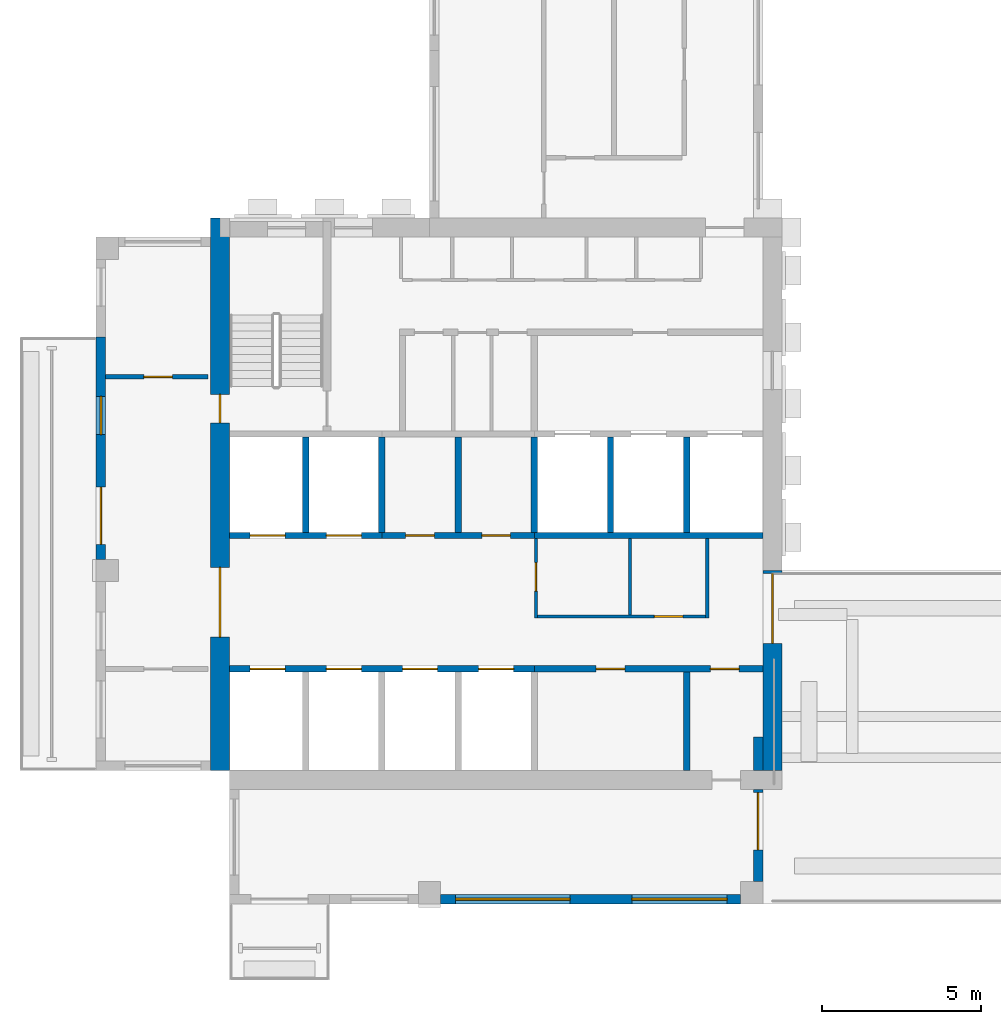
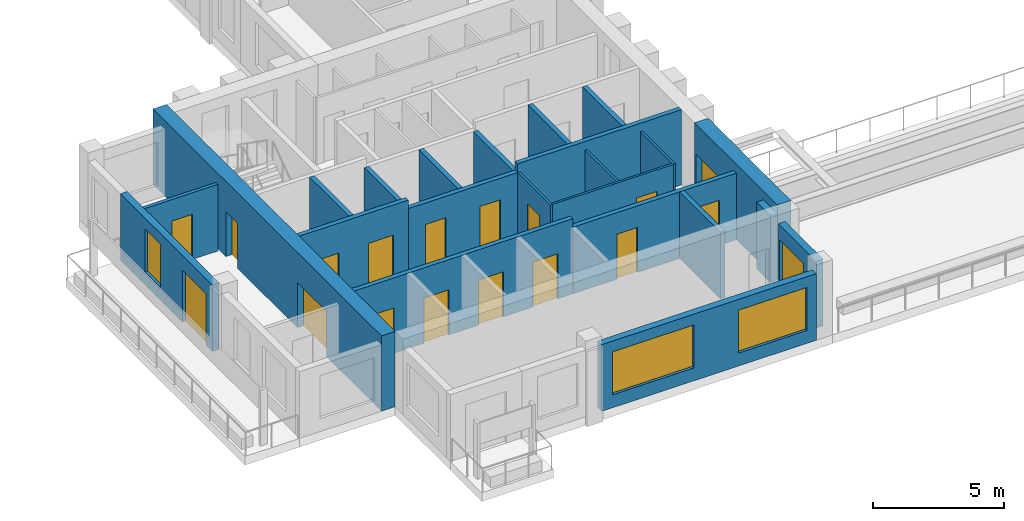
# One storey, part 2 of 10: 23 walls, 18 doors, 3 windows, 21 openings.
"""IFC4 building model written with IfcOpenShell, lengths in metres."""

from ifc_helpers import new_model, si_unit, direction, frame, frame_2d, origin, place, context, subcontext, project, spatial, rectangle, extrude, source, transform, mapped, material, layer, layer_set, type_object, element, fill, save


model = new_model("IFC4")

# Units and contexts
model_context = context("Model", 3, precision=1e-05, world=origin(), true_north=direction((0.0, 1.0)))
body_context = subcontext(model_context, "Body", "Model", "MODEL_VIEW")
ifc_project = project(units=[si_unit("LENGTHUNIT", "METRE"), si_unit("AREAUNIT", "SQUARE_METRE"), si_unit("VOLUMEUNIT", "CUBIC_METRE"), si_unit("PLANEANGLEUNIT", "RADIAN"), si_unit("MASSUNIT", "GRAM", prefix="KILO")], contexts=[model_context])

# Site, building, storey
site_placement = place(None, origin())
site = spatial("IfcSite", under=ifc_project, at=site_placement, CompositionType="ELEMENT")
building_placement = place(site_placement, origin())
building = spatial("IfcBuilding", under=site, at=building_placement, Name="Aurelian Terraces", CompositionType="ELEMENT")
storey_placement = place(building_placement, frame((0.0, 0.0, 291.5)))
storey = spatial("IfcBuildingStorey", under=building, at=storey_placement, Name="L66", CompositionType="ELEMENT", Elevation=291.5)

# Wall, opening, door
ifc_material_1 = material(Name="Gypsum board on steel studs", Category="steel")
ifc_layer_1 = layer(ifc_material_1, 0.1)
ifc_layer_set_1 = layer_set([ifc_layer_1], Name="Core partition 100")
wall_type_1 = type_object("IfcWallType", Name="Core partition 100", PredefinedType="PARTITIONING", material=ifc_layer_set_1)
wall_1_placement = place(storey_placement, frame((13.8, 9.05, 0.0), z_axis=(0.0, 0.0, 1.0), x_axis=(1.0, 0.0, 0.0)))
wall_1 = element("IfcWall", 1, at=wall_1_placement, inside=storey, type_object=wall_type_1, Name="L66 core wall SV-ES", PredefinedType="PARTITIONING", context=body_context, shape_type="SweptSolid", body=[
    extrude(rectangle(XDim=5.4, YDim=0.1, at=frame_2d((2.7, 0.0))), origin(), (0.0, 0.0, 1.0), 3.1),
])
shared_shape_1 = source(origin(), body_context, "Body", "SweptSolid", [
    extrude(rectangle(XDim=0.9, YDim=2.1, at=frame_2d((0.45, 1.05))), frame((0.0, 0.06, 0.0), z_axis=(0.0, -1.0, 0.0), x_axis=(1.0, 0.0, 0.0)), (0.0, 0.0, 1.0), 0.12),
])
opening_1_placement = place(wall_1_placement, frame((3.7825, 0.0, 0.0)))
opening_1 = element("IfcOpeningElement", 2, at=opening_1_placement, cuts=wall_1, Name="Opening 66923", PredefinedType="OPENING", context=body_context, shape_type="MappedRepresentation", body=[
    mapped(shared_shape_1, transform((0.0, 0.0, 0.0), scale=1.0)),
])
ifc_material_2 = material(Name="Steel door leaf", Category="steel")
door_type_1 = type_object("IfcDoorType", Name="Core service door 900x2100", OperationType="SINGLE_SWING_LEFT", PredefinedType="DOOR", material=ifc_material_2)
shared_shape_2 = source(origin(), body_context, "Body", "SweptSolid", [
    extrude(rectangle(XDim=0.9, YDim=2.1, at=frame_2d((0.45, 1.05))), frame((0.0, 0.025, 0.0), z_axis=(0.0, -1.0, 0.0), x_axis=(1.0, 0.0, 0.0)), (0.0, 0.0, 1.0), 0.05),
])
door_1_placement = place(opening_1_placement, origin())
door_1 = element("IfcDoor", 3, at=door_1_placement, inside=storey, type_object=door_type_1, Name="Room door 66923", OperationType="SINGLE_SWING_LEFT", OverallHeight=2.1, OverallWidth=0.9, PredefinedType="DOOR", context=body_context, shape_type="MappedRepresentation", body=[
    mapped(shared_shape_2, transform((0.0, 0.0, 0.0), scale=1.0)),
])
fill(opening_1, door_1)

wall_2_placement = place(storey_placement, frame((13.85, 9.0, 0.0), z_axis=(0.0, 0.0, 1.0), x_axis=(0.0, 1.0, 0.0)))
wall_2 = element("IfcWall", 4, at=wall_2_placement, inside=storey, type_object=wall_type_1, Name="L66 core wall SV-EW", PredefinedType="PARTITIONING", context=body_context, shape_type="SweptSolid", body=[
    extrude(rectangle(XDim=2.5, YDim=0.1, at=frame_2d((1.25, 0.0))), origin(), (0.0, 0.0, 1.0), 3.1),
])
opening_2_placement = place(wall_2_placement, frame((0.85, 0.0, 0.0)))
opening_2 = element("IfcOpeningElement", 5, at=opening_2_placement, cuts=wall_2, Name="Opening 66924", PredefinedType="OPENING", context=body_context, shape_type="MappedRepresentation", body=[
    mapped(shared_shape_1, transform((0.0, 0.0, 0.0), scale=1.0)),
])
door_type_2 = type_object("IfcDoorType", Name="Core service door 900x2100 right", OperationType="SINGLE_SWING_RIGHT", PredefinedType="DOOR", material=ifc_material_2)
door_2_placement = place(opening_2_placement, origin())
door_2 = element("IfcDoor", 6, at=door_2_placement, inside=storey, type_object=door_type_2, Name="Room door 66924", OperationType="SINGLE_SWING_RIGHT", OverallHeight=2.1, OverallWidth=0.9, PredefinedType="DOOR", context=body_context, shape_type="MappedRepresentation", body=[
    mapped(shared_shape_2, transform((0.0, 0.0, 0.0), scale=1.0)),
])
fill(opening_2, door_2)

# Walls
wall_3_placement = place(storey_placement, frame((16.815, 9.1, 0.0), z_axis=(0.0, 0.0, 1.0), x_axis=(0.0, 1.0, 0.0)))
element("IfcWall", 7, at=wall_3_placement, inside=storey, type_object=wall_type_1, Name="L66 core wall SV-EP", PredefinedType="PARTITIONING", context=body_context, shape_type="SweptSolid", body=[
    extrude(rectangle(XDim=2.4, YDim=0.1, at=frame_2d((1.2, 0.0))), origin(), (0.0, 0.0, 1.0), 3.1),
])
ifc_material_3 = material(Name="Terracotta rainscreen cladding", Category="masonry")
ifc_layer_2 = layer(ifc_material_3, 0.3)
ifc_layer_set_2 = layer_set([ifc_layer_2], Name="EW-300")
wall_type_2 = type_object("IfcWallType", Name="EW-300", PredefinedType="STANDARD", material=ifc_layer_set_2)
wall_4_placement = place(storey_placement, frame((20.85, 4.2, 0.0), z_axis=(0.0, 0.0, 1.0), x_axis=(0.0, 1.0, 0.0)))
element("IfcWall", 8, at=wall_4_placement, inside=storey, type_object=wall_type_2, Name="External wall L66 F02.4", PredefinedType="STANDARD", context=body_context, shape_type="SweptSolid", body=[
    extrude(rectangle(XDim=1.05, YDim=0.3, at=frame_2d((0.525, 0.0))), origin(), (0.0, 0.0, 1.0), 3.1),
])

# Wall, openings, door, window
wall_5_placement = place(storey_placement, frame((0.15, 17.85, 0.0), z_axis=(0.0, 0.0, 1.0), x_axis=(0.0, -1.0, 0.0)))
wall_5 = element("IfcWall", 9, at=wall_5_placement, inside=storey, type_object=wall_type_2, Name="External wall L66 F10.20", PredefinedType="STANDARD", context=body_context, shape_type="SweptSolid", body=[
    extrude(rectangle(XDim=7.0, YDim=0.3, at=frame_2d((3.5, 0.0))), origin(), (0.0, 0.0, 1.0), 3.1),
])
shared_shape_3 = source(origin(), body_context, "Body", "SweptSolid", [
    extrude(rectangle(XDim=1.8, YDim=2.4, at=frame_2d((0.9, 1.2))), frame((0.0, 0.16, 0.0), z_axis=(0.0, -1.0, 0.0), x_axis=(1.0, 0.0, 0.0)), (0.0, 0.0, 1.0), 0.32),
])
opening_3_placement = place(wall_5_placement, frame((4.725, 0.0, 0.0)))
opening_3 = element("IfcOpeningElement", 10, at=opening_3_placement, cuts=wall_5, Name="Opening 86603", PredefinedType="OPENING", context=body_context, shape_type="MappedRepresentation", body=[
    mapped(shared_shape_3, transform((0.0, 0.0, 0.0), scale=1.0)),
])
shared_shape_4 = source(origin(), body_context, "Body", "SweptSolid", [
    extrude(rectangle(XDim=1.2, YDim=2.0, at=frame_2d((0.6, 1.0))), frame((0.0, 0.16, 0.0), z_axis=(0.0, -1.0, 0.0), x_axis=(1.0, 0.0, 0.0)), (0.0, 0.0, 1.0), 0.32),
])
opening_4_placement = place(wall_5_placement, frame((1.8688, 0.0, 0.6)))
opening_4 = element("IfcOpeningElement", 11, at=opening_4_placement, cuts=wall_5, Name="Opening W1220", PredefinedType="OPENING", context=body_context, shape_type="MappedRepresentation", body=[
    mapped(shared_shape_4, transform((0.0, 0.0, 0.0), scale=1.0)),
])
ifc_material_4 = material(Name="Clear glazing", Category="glass")
door_type_3 = type_object("IfcDoorType", Name="BD-1800x2400", OperationType="SLIDING_TO_LEFT", PredefinedType="DOOR", material=ifc_material_4)
shared_shape_5 = source(origin(), body_context, "Body", "SweptSolid", [
    extrude(rectangle(XDim=1.8, YDim=2.4, at=frame_2d((0.9, 1.2))), frame((0.0, 0.025, 0.0), z_axis=(0.0, -1.0, 0.0), x_axis=(1.0, 0.0, 0.0)), (0.0, 0.0, 1.0), 0.05),
])
door_3_placement = place(opening_3_placement, origin())
door_3 = element("IfcDoor", 12, at=door_3_placement, inside=storey, type_object=door_type_3, Name="Balcony door L66 F10.20", OperationType="SLIDING_TO_LEFT", OverallHeight=2.4, OverallWidth=1.8, PredefinedType="DOOR", context=body_context, shape_type="MappedRepresentation", body=[
    mapped(shared_shape_5, transform((0.0, 0.0, 0.0), scale=1.0)),
])
fill(opening_3, door_3)
window_type_1 = type_object("IfcWindowType", Name="W-1200x2000", PartitioningType="SINGLE_PANEL", PredefinedType="WINDOW", material=ifc_material_4)
shared_shape_6 = source(origin(), body_context, "Body", "SweptSolid", [
    extrude(rectangle(XDim=1.2, YDim=2.0, at=frame_2d((0.6, 1.0))), frame((0.0, 0.03, 0.0), z_axis=(0.0, -1.0, 0.0), x_axis=(1.0, 0.0, 0.0)), (0.0, 0.0, 1.0), 0.06),
])
window_1_placement = place(opening_4_placement, origin())
window_1 = element("IfcWindow", 13, at=window_1_placement, inside=storey, type_object=window_type_1, Name="Window L66 L66-F10-20-G0-0", OverallHeight=2.0, OverallWidth=1.2, PartitioningType="SINGLE_PANEL", PredefinedType="WINDOW", context=body_context, shape_type="MappedRepresentation", body=[
    mapped(shared_shape_6, transform((0.0, 0.0, 0.0), scale=1.0)),
])
fill(opening_4, window_1)

# Wall, openings, doors
ifc_material_5 = material(Name="Concrete fc' 55 MPa", Category="concrete")
ifc_layer_3 = layer(ifc_material_5, 0.6)
ifc_layer_set_3 = layer_set([ifc_layer_3], Name="CORE WALL 600 FC55")
wall_type_3 = type_object("IfcWallType", Name="CORE WALL 600 FC55", PredefinedType="SHEAR", material=ifc_layer_set_3)
shared_shape_7 = source(origin(), body_context, "Body", "SweptSolid", [
    extrude(rectangle(XDim=17.4, YDim=0.6, at=frame_2d((8.7, 0.0))), origin(), (0.0, 0.0, 1.0), 3.5),
])
wall_6_placement = place(storey_placement, frame((3.9, 4.2, 0.0), z_axis=(0.0, 0.0, 1.0), x_axis=(0.0, 1.0, 0.0)))
wall_6 = element("IfcWall", 14, at=wall_6_placement, inside=storey, type_object=wall_type_3, Name="Core wall W L66", PredefinedType="SHEAR", context=body_context, shape_type="MappedRepresentation", body=[
    mapped(shared_shape_7, transform((0.0, 0.0, 0.0), scale=1.0)),
])
shared_shape_8 = source(origin(), body_context, "Body", "SweptSolid", [
    extrude(rectangle(XDim=2.2, YDim=2.1, at=frame_2d((1.1, 1.05))), frame((0.0, 0.31, 0.0), z_axis=(0.0, -1.0, 0.0), x_axis=(1.0, 0.0, 0.0)), (0.0, 0.0, 1.0), 0.62),
])
opening_5_placement = place(wall_6_placement, frame((4.2, 0.0, 0.0)))
opening_5 = element("IfcOpeningElement", 15, at=opening_5_placement, cuts=wall_6, Name="Opening 66932", PredefinedType="OPENING", context=body_context, shape_type="MappedRepresentation", body=[
    mapped(shared_shape_8, transform((0.0, 0.0, 0.0), scale=1.0)),
])
shared_shape_9 = source(origin(), body_context, "Body", "SweptSolid", [
    extrude(rectangle(XDim=0.9, YDim=2.1, at=frame_2d((0.45, 1.05))), frame((0.0, 0.31, 0.0), z_axis=(0.0, -1.0, 0.0), x_axis=(1.0, 0.0, 0.0)), (0.0, 0.0, 1.0), 0.62),
])
opening_6_placement = place(wall_6_placement, frame((10.95, 0.0, 0.0)))
opening_6 = element("IfcOpeningElement", 16, at=opening_6_placement, cuts=wall_6, Name="Opening 66935", PredefinedType="OPENING", context=body_context, shape_type="MappedRepresentation", body=[
    mapped(shared_shape_9, transform((0.0, 0.0, 0.0), scale=1.0)),
])
door_4_placement = place(opening_6_placement, origin())
door_4 = element("IfcDoor", 17, at=door_4_placement, inside=storey, type_object=door_type_2, Name="Core door 66935", OperationType="SINGLE_SWING_RIGHT", OverallHeight=2.1, OverallWidth=0.9, PredefinedType="DOOR", context=body_context, shape_type="MappedRepresentation", body=[
    mapped(shared_shape_2, transform((0.0, 0.0, 0.0), scale=1.0)),
])
fill(opening_6, door_4)
door_type_4 = type_object("IfcDoorType", Name="Core double door 2200x2100", OperationType="DOUBLE_DOOR_SINGLE_SWING", PredefinedType="DOOR", material=ifc_material_2)
shared_shape_10 = source(origin(), body_context, "Body", "SweptSolid", [
    extrude(rectangle(XDim=2.2, YDim=2.1, at=frame_2d((1.1, 1.05))), frame((0.0, 0.025, 0.0), z_axis=(0.0, -1.0, 0.0), x_axis=(1.0, 0.0, 0.0)), (0.0, 0.0, 1.0), 0.05),
])
door_5_placement = place(opening_5_placement, origin())
door_5 = element("IfcDoor", 18, at=door_5_placement, inside=storey, type_object=door_type_4, Name="Core door 66932", OperationType="DOUBLE_DOOR_SINGLE_SWING", OverallHeight=2.1, OverallWidth=2.2, PredefinedType="DOOR", context=body_context, shape_type="MappedRepresentation", body=[
    mapped(shared_shape_10, transform((0.0, 0.0, 0.0), scale=1.0)),
])
fill(opening_5, door_5)

# Wall, opening, door
shared_shape_11 = source(origin(), body_context, "Body", "SweptSolid", [
    extrude(rectangle(XDim=6.3, YDim=0.6, at=frame_2d((3.15, 0.0))), origin(), (0.0, 0.0, 1.0), 3.5),
])
wall_7_placement = place(storey_placement, frame((21.3, 4.2, 0.0), z_axis=(0.0, 0.0, 1.0), x_axis=(0.0, 1.0, 0.0)))
wall_7 = element("IfcWall", 19, at=wall_7_placement, inside=storey, type_object=wall_type_3, Name="Core wall E L66", PredefinedType="SHEAR", context=body_context, shape_type="MappedRepresentation", body=[
    mapped(shared_shape_11, transform((0.0, 0.0, 0.0), scale=1.0)),
])
opening_7_placement = place(wall_7_placement, frame((4.0, 0.0, 0.0)))
opening_7 = element("IfcOpeningElement", 20, at=opening_7_placement, cuts=wall_7, Name="Opening 66931", PredefinedType="OPENING", context=body_context, shape_type="MappedRepresentation", body=[
    mapped(shared_shape_8, transform((0.0, 0.0, 0.0), scale=1.0)),
])
door_6_placement = place(opening_7_placement, origin())
door_6 = element("IfcDoor", 21, at=door_6_placement, inside=storey, type_object=door_type_4, Name="Core door 66931", OperationType="DOUBLE_DOOR_SINGLE_SWING", OverallHeight=2.1, OverallWidth=2.2, PredefinedType="DOOR", context=body_context, shape_type="MappedRepresentation", body=[
    mapped(shared_shape_10, transform((0.0, 0.0, 0.0), scale=1.0)),
])
fill(opening_7, door_6)

shared_shape_12 = source(origin(), body_context, "Body", "SweptSolid", [
    extrude(rectangle(XDim=2.9, YDim=0.3, at=frame_2d((1.45, 0.0))), origin(), (0.0, 0.0, 1.0), 3.1),
])
wall_8_placement = place(storey_placement, frame((20.85, 0.7, 0.0), z_axis=(0.0, 0.0, 1.0), x_axis=(0.0, 1.0, 0.0)))
wall_8 = element("IfcWall", 22, at=wall_8_placement, inside=storey, type_object=wall_type_2, Name="External wall L66 F02.4", PredefinedType="STANDARD", context=body_context, shape_type="MappedRepresentation", body=[
    mapped(shared_shape_12, transform((0.0, 0.0, 0.0), scale=1.0)),
])
opening_8_placement = place(wall_8_placement, frame((1.0, 0.0, 0.0)))
opening_8 = element("IfcOpeningElement", 23, at=opening_8_placement, cuts=wall_8, Name="Opening 86602", PredefinedType="OPENING", context=body_context, shape_type="MappedRepresentation", body=[
    mapped(shared_shape_3, transform((0.0, 0.0, 0.0), scale=1.0)),
])
door_7_placement = place(opening_8_placement, origin())
door_7 = element("IfcDoor", 24, at=door_7_placement, inside=storey, type_object=door_type_3, Name="Terrace door L66 L66-F02-04.1", OperationType="SLIDING_TO_LEFT", OverallHeight=2.4, OverallWidth=1.8, PredefinedType="DOOR", context=body_context, shape_type="MappedRepresentation", body=[
    mapped(shared_shape_5, transform((0.0, 0.0, 0.0), scale=1.0)),
])
fill(opening_8, door_7)

# Wall, openings, windows
shared_shape_13 = source(origin(), body_context, "Body", "SweptSolid", [
    extrude(rectangle(XDim=9.45, YDim=0.3, at=frame_2d((4.725, 0.0))), origin(), (0.0, 0.0, 1.0), 3.1),
])
wall_9_placement = place(storey_placement, frame((10.85, 0.15, 0.0), z_axis=(0.0, 0.0, 1.0), x_axis=(1.0, 0.0, 0.0)))
wall_9 = element("IfcWall", 25, at=wall_9_placement, inside=storey, type_object=wall_type_2, Name="External wall L66 F01.3", PredefinedType="STANDARD", context=body_context, shape_type="MappedRepresentation", body=[
    mapped(shared_shape_13, transform((0.0, 0.0, 0.0), scale=1.0)),
])
shared_shape_14 = source(origin(), body_context, "Body", "SweptSolid", [
    extrude(rectangle(XDim=3.6, YDim=2.0, at=frame_2d((1.8, 1.0))), frame((0.0, 0.16, 0.0), z_axis=(0.0, -1.0, 0.0), x_axis=(1.0, 0.0, 0.0)), (0.0, 0.0, 1.0), 0.32),
])
opening_9_placement = place(wall_9_placement, frame((0.475, 0.0, 0.6)))
opening_9 = element("IfcOpeningElement", 26, at=opening_9_placement, cuts=wall_9, Name="Opening W3620", PredefinedType="OPENING", context=body_context, shape_type="MappedRepresentation", body=[
    mapped(shared_shape_14, transform((0.0, 0.0, 0.0), scale=1.0)),
])
shared_shape_15 = source(origin(), body_context, "Body", "SweptSolid", [
    extrude(rectangle(XDim=3.0, YDim=2.0, at=frame_2d((1.5, 1.0))), frame((0.0, 0.16, 0.0), z_axis=(0.0, -1.0, 0.0), x_axis=(1.0, 0.0, 0.0)), (0.0, 0.0, 1.0), 0.32),
])
opening_10_placement = place(wall_9_placement, frame((6.025, 0.0, 0.6)))
opening_10 = element("IfcOpeningElement", 27, at=opening_10_placement, cuts=wall_9, Name="Opening W3020", PredefinedType="OPENING", context=body_context, shape_type="MappedRepresentation", body=[
    mapped(shared_shape_15, transform((0.0, 0.0, 0.0), scale=1.0)),
])
window_type_2 = type_object("IfcWindowType", Name="W-3000x2000", PartitioningType="SINGLE_PANEL", PredefinedType="WINDOW", material=ifc_material_4)
shared_shape_16 = source(origin(), body_context, "Body", "SweptSolid", [
    extrude(rectangle(XDim=3.0, YDim=2.0, at=frame_2d((1.5, 1.0))), frame((0.0, 0.03, 0.0), z_axis=(0.0, -1.0, 0.0), x_axis=(1.0, 0.0, 0.0)), (0.0, 0.0, 1.0), 0.06),
])
window_2_placement = place(opening_10_placement, origin())
window_2 = element("IfcWindow", 28, at=window_2_placement, inside=storey, type_object=window_type_2, Name="Window L66 L66-F01-03-1", OverallHeight=2.0, OverallWidth=3.0, PartitioningType="SINGLE_PANEL", PredefinedType="WINDOW", context=body_context, shape_type="MappedRepresentation", body=[
    mapped(shared_shape_16, transform((0.0, 0.0, 0.0), scale=1.0)),
])
fill(opening_10, window_2)
window_type_3 = type_object("IfcWindowType", Name="W-3600x2000", PartitioningType="SINGLE_PANEL", PredefinedType="WINDOW", material=ifc_material_4)
shared_shape_17 = source(origin(), body_context, "Body", "SweptSolid", [
    extrude(rectangle(XDim=3.6, YDim=2.0, at=frame_2d((1.8, 1.0))), frame((0.0, 0.03, 0.0), z_axis=(0.0, -1.0, 0.0), x_axis=(1.0, 0.0, 0.0)), (0.0, 0.0, 1.0), 0.06),
])
window_3_placement = place(opening_9_placement, origin())
window_3 = element("IfcWindow", 29, at=window_3_placement, inside=storey, type_object=window_type_3, Name="Window L66 L66-F01-03-0", OverallHeight=2.0, OverallWidth=3.6, PartitioningType="SINGLE_PANEL", PredefinedType="WINDOW", context=body_context, shape_type="MappedRepresentation", body=[
    mapped(shared_shape_17, transform((0.0, 0.0, 0.0), scale=1.0)),
])
fill(opening_9, window_3)

# Walls
ifc_material_6 = material(Name="Concrete fc' 40 MPa", Category="concrete")
ifc_layer_4 = layer(ifc_material_6, 0.2)
ifc_layer_set_4 = layer_set([ifc_layer_4], Name="Lift shaft wall 200")
wall_type_4 = type_object("IfcWallType", Name="Lift shaft wall 200", PredefinedType="SOLIDWALL", material=ifc_layer_set_4)
shared_shape_18 = source(origin(), body_context, "Body", "SweptSolid", [
    extrude(rectangle(XDim=3.0, YDim=0.2, at=frame_2d((1.5, 0.0))), origin(), (0.0, 0.0, 1.0), 3.1),
])
for number, where, z_axis, x_axis, name in (
    (30, (9.0, 11.7, 0.0), (0.0, 0.0, 1.0), (0.0, 1.0, 0.0), "L66 core wall CD-B2"),
    (31, (13.8, 11.7, 0.0), (0.0, 0.0, 1.0), (0.0, 1.0, 0.0), "L66 core wall CD-B4"),
):
    element("IfcWall", number, at=place(storey_placement, frame(where, z_axis=z_axis, x_axis=x_axis)), inside=storey, type_object=wall_type_4, Name=name, PredefinedType="SOLIDWALL", context=body_context, shape_type="MappedRepresentation", body=[
        mapped(shared_shape_18, transform((0.0, 0.0, 0.0), scale=1.0)),
    ])
shared_shape_19 = source(origin(), body_context, "Body", "SweptSolid", [
    extrude(rectangle(XDim=3.0, YDim=0.2, at=frame_2d((1.5, 0.0))), origin(), (0.0, 0.0, 1.0), 3.5),
])
for number, where, z_axis, x_axis, name in (
    (32, (6.6, 11.7, 0.0), (0.0, 0.0, 1.0), (0.0, 1.0, 0.0), "L66 core wall CD-B1"),
    (33, (16.2, 11.7, 0.0), (0.0, 0.0, 1.0), (0.0, 1.0, 0.0), "L66 core wall CD-B5"),
    (34, (18.6, 11.7, 0.0), (0.0, 0.0, 1.0), (0.0, 1.0, 0.0), "L66 core wall CD-B6"),
):
    element("IfcWall", number, at=place(storey_placement, frame(where, z_axis=z_axis, x_axis=x_axis)), inside=storey, type_object=wall_type_4, Name=name, PredefinedType="SOLIDWALL", context=body_context, shape_type="MappedRepresentation", body=[
        mapped(shared_shape_19, transform((0.0, 0.0, 0.0), scale=1.0)),
    ])

# Wall, openings, doors
shared_shape_20 = source(origin(), body_context, "Body", "SweptSolid", [
    extrude(rectangle(XDim=4.8, YDim=0.2, at=frame_2d((2.4, 0.0))), origin(), (0.0, 0.0, 1.0), 3.5),
])
wall_10_placement = place(storey_placement, frame((4.2, 11.6, 0.0), z_axis=(0.0, 0.0, 1.0), x_axis=(1.0, 0.0, 0.0)))
wall_10 = element("IfcWall", 35, at=wall_10_placement, inside=storey, type_object=wall_type_4, Name="L66 core wall CF-BF1", PredefinedType="SOLIDWALL", context=body_context, shape_type="MappedRepresentation", body=[
    mapped(shared_shape_20, transform((0.0, 0.0, 0.0), scale=1.0)),
])
shared_shape_21 = source(origin(), body_context, "Body", "SweptSolid", [
    extrude(rectangle(XDim=1.1, YDim=2.1, at=frame_2d((0.55, 1.05))), frame((0.0, 0.11, 0.0), z_axis=(0.0, -1.0, 0.0), x_axis=(1.0, 0.0, 0.0)), (0.0, 0.0, 1.0), 0.22),
])
opening_11_placement = place(wall_10_placement, frame((0.65, 0.0, 0.0)))
opening_11 = element("IfcOpeningElement", 36, at=opening_11_placement, cuts=wall_10, Name="Opening 66906", PredefinedType="OPENING", context=body_context, shape_type="MappedRepresentation", body=[
    mapped(shared_shape_21, transform((0.0, 0.0, 0.0), scale=1.0)),
])
opening_12_placement = place(wall_10_placement, frame((3.05, 0.0, 0.0)))
opening_12 = element("IfcOpeningElement", 37, at=opening_12_placement, cuts=wall_10, Name="Opening 66907", PredefinedType="OPENING", context=body_context, shape_type="MappedRepresentation", body=[
    mapped(shared_shape_21, transform((0.0, 0.0, 0.0), scale=1.0)),
])
ifc_material_7 = material(Name="Stainless steel", Category="steel")
door_type_5 = type_object("IfcDoorType", Name="Lift landing door 1100x2100", OperationType="SLIDING_TO_LEFT", PredefinedType="DOOR", material=ifc_material_7)
shared_shape_22 = source(origin(), body_context, "Body", "SweptSolid", [
    extrude(rectangle(XDim=1.1, YDim=2.1, at=frame_2d((0.55, 1.05))), frame((0.0, 0.025, 0.0), z_axis=(0.0, -1.0, 0.0), x_axis=(1.0, 0.0, 0.0)), (0.0, 0.0, 1.0), 0.05),
])
door_8_placement = place(opening_11_placement, origin())
door_8 = element("IfcDoor", 38, at=door_8_placement, inside=storey, type_object=door_type_5, Name="Lift landing door LH5 L66", OperationType="SLIDING_TO_LEFT", OverallHeight=2.1, OverallWidth=1.1, PredefinedType="DOOR", context=body_context, shape_type="MappedRepresentation", body=[
    mapped(shared_shape_22, transform((0.0, 0.0, 0.0), scale=1.0)),
])
fill(opening_11, door_8)
door_9_placement = place(opening_12_placement, origin())
door_9 = element("IfcDoor", 39, at=door_9_placement, inside=storey, type_object=door_type_5, Name="Lift landing door LH6 L66", OperationType="SLIDING_TO_LEFT", OverallHeight=2.1, OverallWidth=1.1, PredefinedType="DOOR", context=body_context, shape_type="MappedRepresentation", body=[
    mapped(shared_shape_22, transform((0.0, 0.0, 0.0), scale=1.0)),
])
fill(opening_12, door_9)

shared_shape_23 = source(origin(), body_context, "Body", "SweptSolid", [
    extrude(rectangle(XDim=4.8, YDim=0.2, at=frame_2d((2.4, 0.0))), origin(), (0.0, 0.0, 1.0), 3.1),
])
wall_11_placement = place(storey_placement, frame((9.0, 11.6, 0.0), z_axis=(0.0, 0.0, 1.0), x_axis=(1.0, 0.0, 0.0)))
wall_11 = element("IfcWall", 40, at=wall_11_placement, inside=storey, type_object=wall_type_4, Name="L66 core wall CF-BF2", PredefinedType="SOLIDWALL", context=body_context, shape_type="MappedRepresentation", body=[
    mapped(shared_shape_23, transform((0.0, 0.0, 0.0), scale=1.0)),
])
shared_shape_24 = source(origin(), body_context, "Body", "SweptSolid", [
    extrude(rectangle(XDim=0.9, YDim=2.1, at=frame_2d((0.45, 1.05))), frame((0.0, 0.11, 0.0), z_axis=(0.0, -1.0, 0.0), x_axis=(1.0, 0.0, 0.0)), (0.0, 0.0, 1.0), 0.22),
])
opening_13_placement = place(wall_11_placement, frame((0.75, 0.0, 0.0)))
opening_13 = element("IfcOpeningElement", 41, at=opening_13_placement, cuts=wall_11, Name="Opening 66908", PredefinedType="OPENING", context=body_context, shape_type="MappedRepresentation", body=[
    mapped(shared_shape_24, transform((0.0, 0.0, 0.0), scale=1.0)),
])
opening_14_placement = place(wall_11_placement, frame((3.15, 0.0, 0.0)))
opening_14 = element("IfcOpeningElement", 42, at=opening_14_placement, cuts=wall_11, Name="Opening 66909", PredefinedType="OPENING", context=body_context, shape_type="MappedRepresentation", body=[
    mapped(shared_shape_24, transform((0.0, 0.0, 0.0), scale=1.0)),
])
door_10_placement = place(opening_13_placement, origin())
door_10 = element("IfcDoor", 43, at=door_10_placement, inside=storey, type_object=door_type_2, Name="Room door 66908", OperationType="SINGLE_SWING_RIGHT", OverallHeight=2.1, OverallWidth=0.9, PredefinedType="DOOR", context=body_context, shape_type="MappedRepresentation", body=[
    mapped(shared_shape_2, transform((0.0, 0.0, 0.0), scale=1.0)),
])
fill(opening_13, door_10)
door_11_placement = place(opening_14_placement, origin())
door_11 = element("IfcDoor", 44, at=door_11_placement, inside=storey, type_object=door_type_1, Name="Room door 66909", OperationType="SINGLE_SWING_LEFT", OverallHeight=2.1, OverallWidth=0.9, PredefinedType="DOOR", context=body_context, shape_type="MappedRepresentation", body=[
    mapped(shared_shape_2, transform((0.0, 0.0, 0.0), scale=1.0)),
])
fill(opening_14, door_11)

# Walls
shared_shape_25 = source(origin(), body_context, "Body", "SweptSolid", [
    extrude(rectangle(XDim=7.2, YDim=0.2, at=frame_2d((3.6, 0.0))), origin(), (0.0, 0.0, 1.0), 3.5),
])
wall_12_placement = place(storey_placement, frame((13.8, 11.6, 0.0), z_axis=(0.0, 0.0, 1.0), x_axis=(1.0, 0.0, 0.0)))
element("IfcWall", 45, at=wall_12_placement, inside=storey, type_object=wall_type_4, Name="L66 core wall CF-BF3", PredefinedType="SOLIDWALL", context=body_context, shape_type="MappedRepresentation", body=[
    mapped(shared_shape_25, transform((0.0, 0.0, 0.0), scale=1.0)),
])
ifc_layer_5 = layer(ifc_material_1, 0.2)
ifc_layer_set_5 = layer_set([ifc_layer_5], Name="Core partition 200")
wall_type_5 = type_object("IfcWallType", Name="Core partition 200", PredefinedType="PARTITIONING", material=ifc_layer_set_5)
shared_shape_26 = source(origin(), body_context, "Body", "SweptSolid", [
    extrude(rectangle(XDim=3.0, YDim=0.2, at=frame_2d((1.5, 0.0))), origin(), (0.0, 0.0, 1.0), 3.1),
])
wall_13_placement = place(storey_placement, frame((11.4, 11.7, 0.0), z_axis=(0.0, 0.0, 1.0), x_axis=(0.0, 1.0, 0.0)))
element("IfcWall", 46, at=wall_13_placement, inside=storey, type_object=wall_type_5, Name="L66 core wall CS-B3", PredefinedType="PARTITIONING", context=body_context, shape_type="MappedRepresentation", body=[
    mapped(shared_shape_26, transform((0.0, 0.0, 0.0), scale=1.0)),
])
shared_shape_27 = source(origin(), body_context, "Body", "SweptSolid", [
    extrude(rectangle(XDim=3.1, YDim=0.2, at=frame_2d((1.55, 0.0))), origin(), (0.0, 0.0, 1.0), 3.1),
])
wall_14_placement = place(storey_placement, frame((18.6, 4.2, 0.0), z_axis=(0.0, 0.0, 1.0), x_axis=(0.0, 1.0, 0.0)))
element("IfcWall", 47, at=wall_14_placement, inside=storey, type_object=wall_type_5, Name="L66 core wall CS-A6", PredefinedType="PARTITIONING", context=body_context, shape_type="MappedRepresentation", body=[
    mapped(shared_shape_27, transform((0.0, 0.0, 0.0), scale=1.0)),
])

# Wall, openings, doors
shared_shape_28 = source(origin(), body_context, "Body", "SweptSolid", [
    extrude(rectangle(XDim=9.6, YDim=0.2, at=frame_2d((4.8, 0.0))), origin(), (0.0, 0.0, 1.0), 3.5),
])
wall_15_placement = place(storey_placement, frame((4.2, 7.4, 0.0), z_axis=(0.0, 0.0, 1.0), x_axis=(1.0, 0.0, 0.0)))
wall_15 = element("IfcWall", 48, at=wall_15_placement, inside=storey, type_object=wall_type_4, Name="L66 core wall CF-AF1", PredefinedType="SOLIDWALL", context=body_context, shape_type="MappedRepresentation", body=[
    mapped(shared_shape_28, transform((0.0, 0.0, 0.0), scale=1.0)),
])
opening_15_placement = place(wall_15_placement, frame((0.65, 0.0, 0.0)))
opening_15 = element("IfcOpeningElement", 49, at=opening_15_placement, cuts=wall_15, Name="Opening 66900", PredefinedType="OPENING", context=body_context, shape_type="MappedRepresentation", body=[
    mapped(shared_shape_21, transform((0.0, 0.0, 0.0), scale=1.0)),
])
opening_16_placement = place(wall_15_placement, frame((3.05, 0.0, 0.0)))
opening_16 = element("IfcOpeningElement", 50, at=opening_16_placement, cuts=wall_15, Name="Opening 66901", PredefinedType="OPENING", context=body_context, shape_type="MappedRepresentation", body=[
    mapped(shared_shape_21, transform((0.0, 0.0, 0.0), scale=1.0)),
])
opening_17_placement = place(wall_15_placement, frame((5.45, 0.0, 0.0)))
opening_17 = element("IfcOpeningElement", 51, at=opening_17_placement, cuts=wall_15, Name="Opening 66902", PredefinedType="OPENING", context=body_context, shape_type="MappedRepresentation", body=[
    mapped(shared_shape_21, transform((0.0, 0.0, 0.0), scale=1.0)),
])
opening_18_placement = place(wall_15_placement, frame((7.85, 0.0, 0.0)))
opening_18 = element("IfcOpeningElement", 52, at=opening_18_placement, cuts=wall_15, Name="Opening 66903", PredefinedType="OPENING", context=body_context, shape_type="MappedRepresentation", body=[
    mapped(shared_shape_21, transform((0.0, 0.0, 0.0), scale=1.0)),
])
door_12_placement = place(opening_15_placement, origin())
door_12 = element("IfcDoor", 53, at=door_12_placement, inside=storey, type_object=door_type_5, Name="Lift landing door LH1 L66", OperationType="SLIDING_TO_LEFT", OverallHeight=2.1, OverallWidth=1.1, PredefinedType="DOOR", context=body_context, shape_type="MappedRepresentation", body=[
    mapped(shared_shape_22, transform((0.0, 0.0, 0.0), scale=1.0)),
])
fill(opening_15, door_12)
door_13_placement = place(opening_16_placement, origin())
door_13 = element("IfcDoor", 54, at=door_13_placement, inside=storey, type_object=door_type_5, Name="Lift landing door LH2 L66", OperationType="SLIDING_TO_LEFT", OverallHeight=2.1, OverallWidth=1.1, PredefinedType="DOOR", context=body_context, shape_type="MappedRepresentation", body=[
    mapped(shared_shape_22, transform((0.0, 0.0, 0.0), scale=1.0)),
])
fill(opening_16, door_13)
door_14_placement = place(opening_17_placement, origin())
door_14 = element("IfcDoor", 55, at=door_14_placement, inside=storey, type_object=door_type_5, Name="Lift landing door LH3 L66", OperationType="SLIDING_TO_LEFT", OverallHeight=2.1, OverallWidth=1.1, PredefinedType="DOOR", context=body_context, shape_type="MappedRepresentation", body=[
    mapped(shared_shape_22, transform((0.0, 0.0, 0.0), scale=1.0)),
])
fill(opening_17, door_14)
door_15_placement = place(opening_18_placement, origin())
door_15 = element("IfcDoor", 56, at=door_15_placement, inside=storey, type_object=door_type_5, Name="Lift landing door LH4 L66", OperationType="SLIDING_TO_LEFT", OverallHeight=2.1, OverallWidth=1.1, PredefinedType="DOOR", context=body_context, shape_type="MappedRepresentation", body=[
    mapped(shared_shape_22, transform((0.0, 0.0, 0.0), scale=1.0)),
])
fill(opening_18, door_15)

shared_shape_29 = source(origin(), body_context, "Body", "SweptSolid", [
    extrude(rectangle(XDim=7.2, YDim=0.2, at=frame_2d((3.6, 0.0))), origin(), (0.0, 0.0, 1.0), 3.1),
])
wall_16_placement = place(storey_placement, frame((13.8, 7.4, 0.0), z_axis=(0.0, 0.0, 1.0), x_axis=(1.0, 0.0, 0.0)))
wall_16 = element("IfcWall", 57, at=wall_16_placement, inside=storey, type_object=wall_type_4, Name="L66 core wall CF-AF2", PredefinedType="SOLIDWALL", context=body_context, shape_type="MappedRepresentation", body=[
    mapped(shared_shape_29, transform((0.0, 0.0, 0.0), scale=1.0)),
])
opening_19_placement = place(wall_16_placement, frame((1.95, 0.0, 0.0)))
opening_19 = element("IfcOpeningElement", 58, at=opening_19_placement, cuts=wall_16, Name="Opening 66904", PredefinedType="OPENING", context=body_context, shape_type="MappedRepresentation", body=[
    mapped(shared_shape_24, transform((0.0, 0.0, 0.0), scale=1.0)),
])
opening_20_placement = place(wall_16_placement, frame((5.55, 0.0, 0.0)))
opening_20 = element("IfcOpeningElement", 59, at=opening_20_placement, cuts=wall_16, Name="Opening 66905", PredefinedType="OPENING", context=body_context, shape_type="MappedRepresentation", body=[
    mapped(shared_shape_24, transform((0.0, 0.0, 0.0), scale=1.0)),
])
door_16_placement = place(opening_19_placement, origin())
door_16 = element("IfcDoor", 60, at=door_16_placement, inside=storey, type_object=door_type_2, Name="Room door 66904", OperationType="SINGLE_SWING_RIGHT", OverallHeight=2.1, OverallWidth=0.9, PredefinedType="DOOR", context=body_context, shape_type="MappedRepresentation", body=[
    mapped(shared_shape_2, transform((0.0, 0.0, 0.0), scale=1.0)),
])
fill(opening_19, door_16)
door_17_placement = place(opening_20_placement, origin())
door_17 = element("IfcDoor", 61, at=door_17_placement, inside=storey, type_object=door_type_1, Name="Room door 66905", OperationType="SINGLE_SWING_LEFT", OverallHeight=2.1, OverallWidth=0.9, PredefinedType="DOOR", context=body_context, shape_type="MappedRepresentation", body=[
    mapped(shared_shape_2, transform((0.0, 0.0, 0.0), scale=1.0)),
])
fill(opening_20, door_17)

# Wall
shared_shape_30 = source(origin(), body_context, "Body", "SweptSolid", [
    extrude(rectangle(XDim=2.5, YDim=0.1, at=frame_2d((1.25, 0.0))), origin(), (0.0, 0.0, 1.0), 3.1),
])
wall_17_placement = place(storey_placement, frame((19.25, 9.0, 0.0), z_axis=(0.0, 0.0, 1.0), x_axis=(0.0, 1.0, 0.0)))
element("IfcWall", 62, at=wall_17_placement, inside=storey, type_object=wall_type_1, Name="L66 core wall SV-EE", PredefinedType="PARTITIONING", context=body_context, shape_type="MappedRepresentation", body=[
    mapped(shared_shape_30, transform((0.0, 0.0, 0.0), scale=1.0)),
])

# Wall, opening, door
ifc_layer_6 = layer(ifc_material_1, 0.15)
ifc_layer_set_6 = layer_set([ifc_layer_6], Name="Partition 150")
wall_type_6 = type_object("IfcWallType", Name="Partition 150", PredefinedType="PARTITIONING", material=ifc_layer_set_6)
shared_shape_31 = source(origin(), body_context, "Body", "SweptSolid", [
    extrude(rectangle(XDim=3.225, YDim=0.15, at=frame_2d((1.6125, 0.0))), origin(), (0.0, 0.0, 1.0), 3.1),
])
wall_18_placement = place(storey_placement, frame((0.3, 16.6, 0.0), z_axis=(0.0, 0.0, 1.0), x_axis=(1.0, 0.0, 0.0)))
wall_18 = element("IfcWall", 63, at=wall_18_placement, inside=storey, type_object=wall_type_6, Name="Partition", PredefinedType="PARTITIONING", context=body_context, shape_type="MappedRepresentation", body=[
    mapped(shared_shape_31, transform((0.0, 0.0, 0.0), scale=1.0)),
])
shared_shape_32 = source(origin(), body_context, "Body", "SweptSolid", [
    extrude(rectangle(XDim=0.9, YDim=2.1, at=frame_2d((0.45, 1.05))), frame((0.0, 0.085, 0.0), z_axis=(0.0, -1.0, 0.0), x_axis=(1.0, 0.0, 0.0)), (0.0, 0.0, 1.0), 0.17),
])
opening_21_placement = place(wall_18_placement, frame((1.2, 0.0, 0.0)))
opening_21 = element("IfcOpeningElement", 64, at=opening_21_placement, cuts=wall_18, Name="Opening 766006", PredefinedType="OPENING", context=body_context, shape_type="MappedRepresentation", body=[
    mapped(shared_shape_32, transform((0.0, 0.0, 0.0), scale=1.0)),
])
ifc_material_8 = material(Name="Timber door leaf", Category="wood")
door_type_6 = type_object("IfcDoorType", Name="Room door 900x2100 left", OperationType="SINGLE_SWING_LEFT", PredefinedType="DOOR", material=ifc_material_8)
door_18_placement = place(opening_21_placement, origin())
door_18 = element("IfcDoor", 65, at=door_18_placement, inside=storey, type_object=door_type_6, Name="Door 766006", OperationType="SINGLE_SWING_LEFT", OverallHeight=2.1, OverallWidth=0.9, PredefinedType="DOOR", context=body_context, shape_type="MappedRepresentation", body=[
    mapped(shared_shape_2, transform((0.0, 0.0, 0.0), scale=1.0)),
])
fill(opening_21, door_18)

save(model, "model.ifc")
